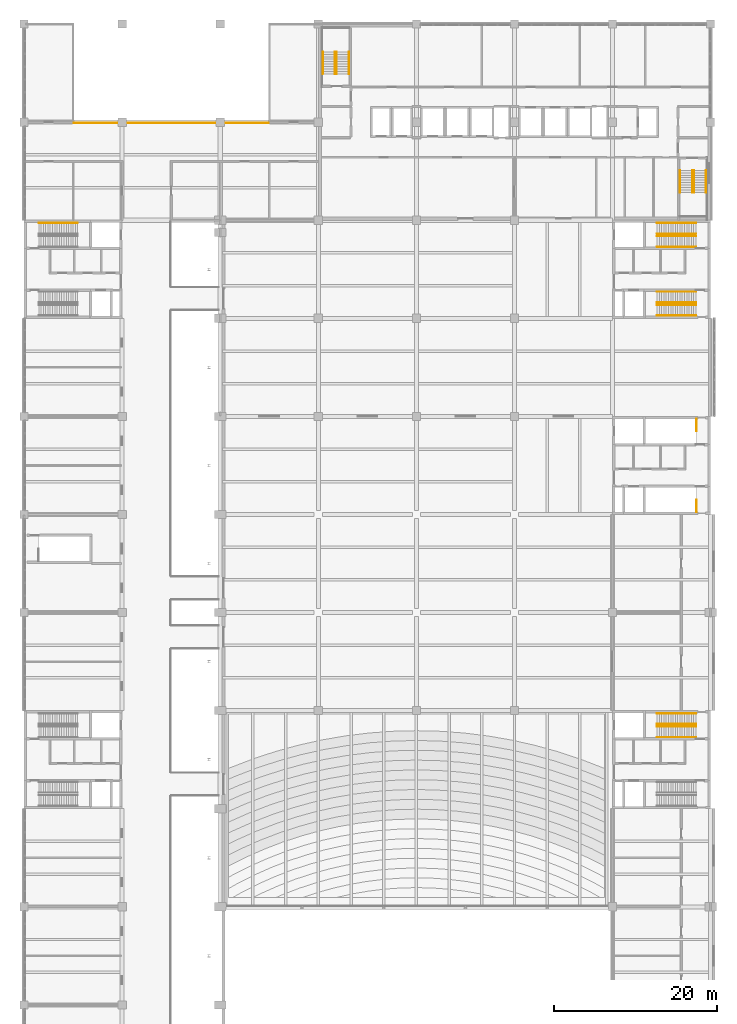
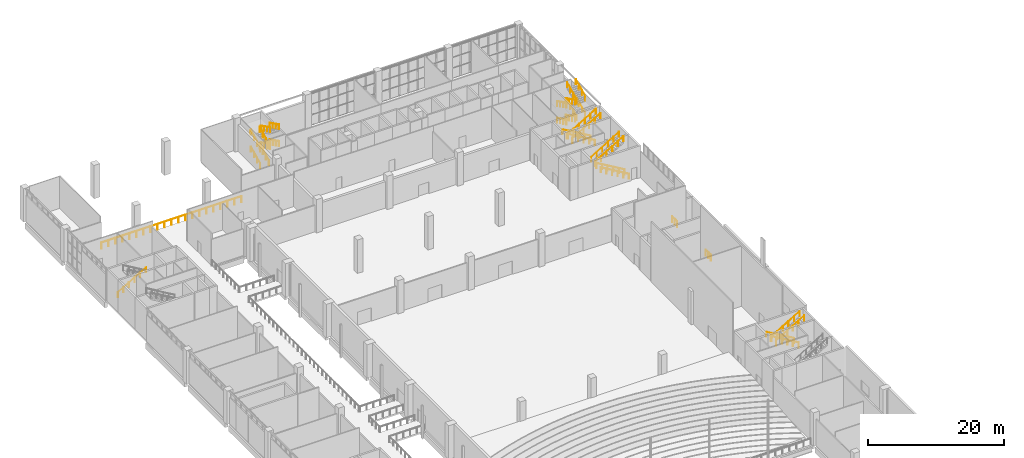
# One storey, part 72 of 72: 32 railings.
"""IFC4 building model written with IfcOpenShell, lengths in metres."""

from ifc_helpers import new_model, si_unit, direction, frame, origin, origin_2d, place, context, subcontext, project, spatial, circle, extrude, material, constituent, constituent_set, type_object, element, save


model = new_model("IFC4")

# Units and contexts
model_context = context("Model", 3, precision=1e-05, world=origin(), true_north=direction((0.0, 1.0)))
body_context = subcontext(model_context, "Body", "Model", "MODEL_VIEW")
ifc_project = project(units=[si_unit("LENGTHUNIT", "METRE"), si_unit("AREAUNIT", "SQUARE_METRE"), si_unit("VOLUMEUNIT", "CUBIC_METRE"), si_unit("PLANEANGLEUNIT", "RADIAN"), si_unit("MASSUNIT", "GRAM", prefix="KILO")], contexts=[model_context])

# Site, building, storey
site_placement = place(None, origin())
site = spatial("IfcSite", under=ifc_project, at=site_placement, CompositionType="ELEMENT")
building_placement = place(site_placement, origin())
building = spatial("IfcBuilding", under=site, at=building_placement, Name="Lilac Gate Convention Centre", CompositionType="ELEMENT")
storey_placement = place(building_placement, frame((0.0, 0.0, 6.0)))
storey = spatial("IfcBuildingStorey", under=building, at=storey_placement, Name="L01", CompositionType="ELEMENT", Elevation=6.0)

# Railings
ifc_material_1 = material(Name="Steel Q235B", Category="steel")
ifc_constituent_1 = constituent(ifc_material_1, Name="Frame")
ifc_material_2 = material(Name="Safety glass, bonded interlayer", Category="glass")
ifc_constituent_2 = constituent(ifc_material_2, Name="Infill")
ifc_constituent_set = constituent_set(constituents=[ifc_constituent_1, ifc_constituent_2], Name="Steel Q235B, Safety glass, bonded interlayer")
railing_type_1 = type_object("IfcRailingType", Name="Guard 1100 steel and glass", PredefinedType="GUARDRAIL", material=ifc_constituent_set)
for number, where, name in (
    (1, (88.25, 186.300048828125, 0.0), "Stairwell guard E3A"),
    (2, (88.25, 196.199951171875, 0.0), "Stairwell guard E3B"),
):
    element("IfcRailing", number, at=place(storey_placement, frame(where)), inside=storey, type_object=railing_type_1, Name=name, PredefinedType="GUARDRAIL", context=body_context, shape_type="SweptSolid", body=[
        extrude(circle(Radius=0.02392578125, at=origin_2d()), frame((0.0, 0.0, 1.076171875), z_axis=(0.0, 1.0, 0.0), x_axis=(-1.0, 0.0, 0.0)), (0.0, 0.0, 1.0), 1.5),
        extrude(circle(Radius=0.02099609375, at=origin_2d()), origin(), (0.0, 0.0, 1.0), 1.052001953125),
        extrude(circle(Radius=0.02099609375, at=origin_2d()), frame((0.0, 0.75, 0.0)), (0.0, 0.0, 1.0), 1.052001953125),
        extrude(circle(Radius=0.02099609375, at=origin_2d()), frame((0.0, 1.5, 0.0)), (0.0, 0.0, 1.0), 1.052001953125),
    ])
railing_1_placement = place(storey_placement, frame((12.10009765625, 233.89990234375, 0.0)))
element("IfcRailing", 3, at=railing_1_placement, inside=storey, type_object=railing_type_1, Name="Gallery guard L01", PredefinedType="GUARDRAIL", context=body_context, shape_type="SweptSolid", body=[
    extrude(circle(Radius=0.02392578125, at=origin_2d()), frame((0.0, 0.0, 1.076171875), z_axis=(1.0, 0.0, 0.0), x_axis=(0.0, 1.0, 0.0)), (0.0, 0.0, 1.0), 23.7998046875),
    extrude(circle(Radius=0.02099609375, at=origin_2d()), origin(), (0.0, 0.0, 1.0), 1.052001953125),
    extrude(circle(Radius=0.02099609375, at=origin_2d()), frame((1.18994140625, 0.0, 0.0)), (0.0, 0.0, 1.0), 1.052001953125),
    extrude(circle(Radius=0.02099609375, at=origin_2d()), frame((2.3798828125, 0.0, 0.0)), (0.0, 0.0, 1.0), 1.052001953125),
    extrude(circle(Radius=0.02099609375, at=origin_2d()), frame((3.570068359375, 0.0, 0.0)), (0.0, 0.0, 1.0), 1.052001953125),
    extrude(circle(Radius=0.02099609375, at=origin_2d()), frame((4.760009765625, 0.0, 0.0)), (0.0, 0.0, 1.0), 1.052001953125),
    extrude(circle(Radius=0.02099609375, at=origin_2d()), frame((5.949951171875, 0.0, 0.0)), (0.0, 0.0, 1.0), 1.052001953125),
    extrude(circle(Radius=0.02099609375, at=origin_2d()), frame((7.139892578125, 0.0, 0.0)), (0.0, 0.0, 1.0), 1.052001953125),
    extrude(circle(Radius=0.02099609375, at=origin_2d()), frame((8.329833984375, 0.0, 0.0)), (0.0, 0.0, 1.0), 1.052001953125),
    extrude(circle(Radius=0.02099609375, at=origin_2d()), frame((9.52001953125, 0.0, 0.0)), (0.0, 0.0, 1.0), 1.052001953125),
    extrude(circle(Radius=0.02099609375, at=origin_2d()), frame((10.7099609375, 0.0, 0.0)), (0.0, 0.0, 1.0), 1.052001953125),
    extrude(circle(Radius=0.02099609375, at=origin_2d()), frame((11.89990234375, 0.0, 0.0)), (0.0, 0.0, 1.0), 1.052001953125),
    extrude(circle(Radius=0.02099609375, at=origin_2d()), frame((13.08984375, 0.0, 0.0)), (0.0, 0.0, 1.0), 1.052001953125),
    extrude(circle(Radius=0.02099609375, at=origin_2d()), frame((14.27978515625, 0.0, 0.0)), (0.0, 0.0, 1.0), 1.052001953125),
    extrude(circle(Radius=0.02099609375, at=origin_2d()), frame((15.469970703125, 0.0, 0.0)), (0.0, 0.0, 1.0), 1.052001953125),
    extrude(circle(Radius=0.02099609375, at=origin_2d()), frame((16.659912109375, 0.0, 0.0)), (0.0, 0.0, 1.0), 1.052001953125),
    extrude(circle(Radius=0.02099609375, at=origin_2d()), frame((17.849853515625, 0.0, 0.0)), (0.0, 0.0, 1.0), 1.052001953125),
    extrude(circle(Radius=0.02099609375, at=origin_2d()), frame((19.039794921875, 0.0, 0.0)), (0.0, 0.0, 1.0), 1.052001953125),
    extrude(circle(Radius=0.02099609375, at=origin_2d()), frame((20.229736328125, 0.0, 0.0)), (0.0, 0.0, 1.0), 1.052001953125),
    extrude(circle(Radius=0.02099609375, at=origin_2d()), frame((21.419921875, 0.0, 0.0)), (0.0, 0.0, 1.0), 1.052001953125),
    extrude(circle(Radius=0.02099609375, at=origin_2d()), frame((22.60986328125, 0.0, 0.0)), (0.0, 0.0, 1.0), 1.052001953125),
    extrude(circle(Radius=0.02099609375, at=origin_2d()), frame((23.7998046875, 0.0, 0.0)), (0.0, 0.0, 1.0), 1.052001953125),
])
ifc_material_3 = material(Name="Stainless steel 304", Category="steel")
railing_type_2 = type_object("IfcRailingType", Name="Stair handrail", PredefinedType="HANDRAIL", material=ifc_material_3)
for number, where, name in (
    (4, (42.550048828125, 239.89990234375, 0.14990234375), "Handrail NW L01 flight 1"),
    (5, (44.050048828125, 239.89990234375, 0.14990234375), "Handrail NW L01 flight 1"),
):
    element("IfcRailing", number, at=place(storey_placement, frame(where)), inside=storey, type_object=railing_type_2, Name=name, PredefinedType="HANDRAIL", context=body_context, shape_type="SweptSolid", body=[
        extrude(circle(Radius=0.02392578125, at=origin_2d()), frame((0.0, 0.0, 0.8759765625), z_axis=(0.0, 0.894427191, 0.4472135955), x_axis=(-1.0, 0.0, 0.0)), (0.0, 0.0, 1.0), 3.018798828125),
        extrude(circle(Radius=0.02099609375, at=origin_2d()), origin(), (0.0, 0.0, 1.0), 0.851806640625),
        extrude(circle(Radius=0.02099609375, at=origin_2d()), frame((0.0, 0.900146484375, 0.449951171875)), (0.0, 0.0, 1.0), 0.851806640625),
        extrude(circle(Radius=0.02099609375, at=origin_2d()), frame((0.0, 1.800048828125, 0.900146484375)), (0.0, 0.0, 1.0), 0.851806640625),
        extrude(circle(Radius=0.02099609375, at=origin_2d()), frame((0.0, 2.7001953125, 1.35009765625)), (0.0, 0.0, 1.0), 0.851806640625),
    ])
for number, where, name in (
    (6, (45.75, 242.60009765625, 1.64990234375), "Handrail NW L01 flight 2"),
    (7, (44.25, 242.60009765625, 1.64990234375), "Handrail NW L01 flight 2"),
):
    element("IfcRailing", number, at=place(storey_placement, frame(where)), inside=storey, type_object=railing_type_2, Name=name, PredefinedType="HANDRAIL", context=body_context, shape_type="SweptSolid", body=[
        extrude(circle(Radius=0.02392578125, at=origin_2d()), frame((0.0, 0.0, 0.8759765625), z_axis=(0.0, -0.894427191, 0.4472135955), x_axis=(1.0, 0.0, 0.0)), (0.0, 0.0, 1.0), 3.018798828125),
        extrude(circle(Radius=0.02099609375, at=origin_2d()), origin(), (0.0, 0.0, 1.0), 0.851806640625),
        extrude(circle(Radius=0.02099609375, at=origin_2d()), frame((0.0, -0.900146484375, 0.449951171875)), (0.0, 0.0, 1.0), 0.851806640625),
        extrude(circle(Radius=0.02099609375, at=origin_2d()), frame((0.0, -1.800048828125, 0.900146484375)), (0.0, 0.0, 1.0), 0.851806640625),
        extrude(circle(Radius=0.02099609375, at=origin_2d()), frame((0.0, -2.7001953125, 1.35009765625)), (0.0, 0.0, 1.0), 0.851806640625),
    ])
for number, where, name in (
    (8, (42.550048828125, 239.89990234375, 3.14990234375), "Handrail NW L01 flight 3"),
    (9, (44.050048828125, 239.89990234375, 3.14990234375), "Handrail NW L01 flight 3"),
):
    element("IfcRailing", number, at=place(storey_placement, frame(where)), inside=storey, type_object=railing_type_2, Name=name, PredefinedType="HANDRAIL", context=body_context, shape_type="SweptSolid", body=[
        extrude(circle(Radius=0.02392578125, at=origin_2d()), frame((0.0, 0.0, 0.8759765625), z_axis=(0.0, 0.894427191, 0.4472135955), x_axis=(-1.0, 0.0, 0.0)), (0.0, 0.0, 1.0), 3.018798828125),
        extrude(circle(Radius=0.02099609375, at=origin_2d()), origin(), (0.0, 0.0, 1.0), 0.851806640625),
        extrude(circle(Radius=0.02099609375, at=origin_2d()), frame((0.0, 0.900146484375, 0.449951171875)), (0.0, 0.0, 1.0), 0.851806640625),
        extrude(circle(Radius=0.02099609375, at=origin_2d()), frame((0.0, 1.800048828125, 0.900146484375)), (0.0, 0.0, 1.0), 0.851806640625),
        extrude(circle(Radius=0.02099609375, at=origin_2d()), frame((0.0, 2.7001953125, 1.35009765625)), (0.0, 0.0, 1.0), 0.851806640625),
    ])
for number, where, name in (
    (10, (45.75, 242.60009765625, 4.64990234375), "Handrail NW L01 flight 4"),
    (11, (44.25, 242.60009765625, 4.64990234375), "Handrail NW L01 flight 4"),
    (12, (87.75, 228.10009765625, 0.14990234375), "Handrail SE L01 flight 1"),
    (13, (86.25, 228.10009765625, 0.14990234375), "Handrail SE L01 flight 1"),
):
    element("IfcRailing", number, at=place(storey_placement, frame(where)), inside=storey, type_object=railing_type_2, Name=name, PredefinedType="HANDRAIL", context=body_context, shape_type="SweptSolid", body=[
        extrude(circle(Radius=0.02392578125, at=origin_2d()), frame((0.0, 0.0, 0.8759765625), z_axis=(0.0, -0.894427191, 0.4472135955), x_axis=(1.0, 0.0, 0.0)), (0.0, 0.0, 1.0), 3.018798828125),
        extrude(circle(Radius=0.02099609375, at=origin_2d()), origin(), (0.0, 0.0, 1.0), 0.851806640625),
        extrude(circle(Radius=0.02099609375, at=origin_2d()), frame((0.0, -0.900146484375, 0.449951171875)), (0.0, 0.0, 1.0), 0.851806640625),
        extrude(circle(Radius=0.02099609375, at=origin_2d()), frame((0.0, -1.800048828125, 0.900146484375)), (0.0, 0.0, 1.0), 0.851806640625),
        extrude(circle(Radius=0.02099609375, at=origin_2d()), frame((0.0, -2.7001953125, 1.35009765625)), (0.0, 0.0, 1.0), 0.851806640625),
    ])
for number, where, name in (
    (14, (87.949951171875, 225.39990234375, 1.64990234375), "Handrail SE L01 flight 2"),
    (15, (89.449951171875, 225.39990234375, 1.64990234375), "Handrail SE L01 flight 2"),
):
    element("IfcRailing", number, at=place(storey_placement, frame(where)), inside=storey, type_object=railing_type_2, Name=name, PredefinedType="HANDRAIL", context=body_context, shape_type="SweptSolid", body=[
        extrude(circle(Radius=0.02392578125, at=origin_2d()), frame((0.0, 0.0, 0.8759765625), z_axis=(0.0, 0.894427191, 0.4472135955), x_axis=(-1.0, 0.0, 0.0)), (0.0, 0.0, 1.0), 3.018798828125),
        extrude(circle(Radius=0.02099609375, at=origin_2d()), origin(), (0.0, 0.0, 1.0), 0.851806640625),
        extrude(circle(Radius=0.02099609375, at=origin_2d()), frame((0.0, 0.900146484375, 0.449951171875)), (0.0, 0.0, 1.0), 0.851806640625),
        extrude(circle(Radius=0.02099609375, at=origin_2d()), frame((0.0, 1.800048828125, 0.900146484375)), (0.0, 0.0, 1.0), 0.851806640625),
        extrude(circle(Radius=0.02099609375, at=origin_2d()), frame((0.0, 2.7001953125, 1.35009765625)), (0.0, 0.0, 1.0), 0.851806640625),
    ])
for number, where, name in (
    (16, (87.75, 228.10009765625, 3.14990234375), "Handrail SE L01 flight 3"),
    (17, (86.25, 228.10009765625, 3.14990234375), "Handrail SE L01 flight 3"),
):
    element("IfcRailing", number, at=place(storey_placement, frame(where)), inside=storey, type_object=railing_type_2, Name=name, PredefinedType="HANDRAIL", context=body_context, shape_type="SweptSolid", body=[
        extrude(circle(Radius=0.02392578125, at=origin_2d()), frame((0.0, 0.0, 0.8759765625), z_axis=(0.0, -0.894427191, 0.4472135955), x_axis=(1.0, 0.0, 0.0)), (0.0, 0.0, 1.0), 3.018798828125),
        extrude(circle(Radius=0.02099609375, at=origin_2d()), origin(), (0.0, 0.0, 1.0), 0.851806640625),
        extrude(circle(Radius=0.02099609375, at=origin_2d()), frame((0.0, -0.900146484375, 0.449951171875)), (0.0, 0.0, 1.0), 0.851806640625),
        extrude(circle(Radius=0.02099609375, at=origin_2d()), frame((0.0, -1.800048828125, 0.900146484375)), (0.0, 0.0, 1.0), 0.851806640625),
        extrude(circle(Radius=0.02099609375, at=origin_2d()), frame((0.0, -2.7001953125, 1.35009765625)), (0.0, 0.0, 1.0), 0.851806640625),
    ])
for number, where, name in (
    (18, (87.949951171875, 225.39990234375, 4.64990234375), "Handrail SE L01 flight 4"),
    (19, (89.449951171875, 225.39990234375, 4.64990234375), "Handrail SE L01 flight 4"),
):
    element("IfcRailing", number, at=place(storey_placement, frame(where)), inside=storey, type_object=railing_type_2, Name=name, PredefinedType="HANDRAIL", context=body_context, shape_type="SweptSolid", body=[
        extrude(circle(Radius=0.02392578125, at=origin_2d()), frame((0.0, 0.0, 0.8759765625), z_axis=(0.0, 0.894427191, 0.4472135955), x_axis=(-1.0, 0.0, 0.0)), (0.0, 0.0, 1.0), 3.018798828125),
        extrude(circle(Radius=0.02099609375, at=origin_2d()), origin(), (0.0, 0.0, 1.0), 0.851806640625),
        extrude(circle(Radius=0.02099609375, at=origin_2d()), frame((0.0, 0.900146484375, 0.449951171875)), (0.0, 0.0, 1.0), 0.851806640625),
        extrude(circle(Radius=0.02099609375, at=origin_2d()), frame((0.0, 1.800048828125, 0.900146484375)), (0.0, 0.0, 1.0), 0.851806640625),
        extrude(circle(Radius=0.02099609375, at=origin_2d()), frame((0.0, 2.7001953125, 1.35009765625)), (0.0, 0.0, 1.0), 0.851806640625),
    ])
railing_type_3 = type_object("IfcRailingType", Name="Stair handrail 900", PredefinedType="HANDRAIL", material=ifc_material_3)
railing_2_placement = place(storey_placement, frame((7.800048828125, 221.64990234375, 0.166748046875)))
element("IfcRailing", 20, at=railing_2_placement, inside=storey, type_object=railing_type_3, Name="Stair handrail W4B", PredefinedType="HANDRAIL", context=body_context, shape_type="SweptSolid", body=[
    extrude(circle(Radius=0.02392578125, at=origin_2d()), frame((0.0, 0.0, 0.8759765625), z_axis=(0.859299802514, 0.0, 0.511472237174), x_axis=(0.0, 1.0, 0.0)), (0.0, 0.0, 1.0), 5.539306640625),
    extrude(circle(Radius=0.02099609375, at=origin_2d()), origin(), (0.0, 0.0, 1.0), 0.851806640625),
    extrude(circle(Radius=0.02099609375, at=origin_2d()), frame((0.951904296875, 0.0, 0.566650390625)), (0.0, 0.0, 1.0), 0.851806640625),
    extrude(circle(Radius=0.02099609375, at=origin_2d()), frame((1.904052734375, 0.0, 1.13330078125)), (0.0, 0.0, 1.0), 0.851806640625),
    extrude(circle(Radius=0.02099609375, at=origin_2d()), frame((2.85595703125, 0.0, 1.699951171875)), (0.0, 0.0, 1.0), 0.851806640625),
    extrude(circle(Radius=0.02099609375, at=origin_2d()), frame((3.80810546875, 0.0, 2.2666015625)), (0.0, 0.0, 1.0), 0.851806640625),
    extrude(circle(Radius=0.02099609375, at=origin_2d()), frame((4.760009765625, 0.0, 2.833251953125)), (0.0, 0.0, 1.0), 0.851806640625),
])
for number, where, name in (
    (21, (88.199951171875, 160.35009765625, 0.166748046875), "Stair handrail E2B"),
    (22, (88.199951171875, 161.64990234375, 0.166748046875), "Stair handrail E2B"),
):
    element("IfcRailing", number, at=place(storey_placement, frame(where)), inside=storey, type_object=railing_type_3, Name=name, PredefinedType="HANDRAIL", context=body_context, shape_type="SweptSolid", body=[
        extrude(circle(Radius=0.02392578125, at=origin_2d()), frame((0.0, 0.0, 0.8759765625), z_axis=(-0.859299802514, 0.0, 0.511472237174), x_axis=(0.0, -1.0, 0.0)), (0.0, 0.0, 1.0), 5.539306640625),
        extrude(circle(Radius=0.02099609375, at=origin_2d()), origin(), (0.0, 0.0, 1.0), 0.851806640625),
        extrude(circle(Radius=0.02099609375, at=origin_2d()), frame((-0.951904296875, 0.0, 0.566650390625)), (0.0, 0.0, 1.0), 0.851806640625),
        extrude(circle(Radius=0.02099609375, at=origin_2d()), frame((-1.904052734375, 0.0, 1.13330078125)), (0.0, 0.0, 1.0), 0.851806640625),
        extrude(circle(Radius=0.02099609375, at=origin_2d()), frame((-2.85595703125, 0.0, 1.699951171875)), (0.0, 0.0, 1.0), 0.851806640625),
        extrude(circle(Radius=0.02099609375, at=origin_2d()), frame((-3.80810546875, 0.0, 2.2666015625)), (0.0, 0.0, 1.0), 0.851806640625),
        extrude(circle(Radius=0.02099609375, at=origin_2d()), frame((-4.760009765625, 0.0, 2.833251953125)), (0.0, 0.0, 1.0), 0.851806640625),
    ])
for number, where, name in (
    (23, (83.43994140625, 158.75, 3.166748046875), "Stair handrail E2B"),
    (24, (83.43994140625, 160.050048828125, 3.166748046875), "Stair handrail E2B"),
):
    element("IfcRailing", number, at=place(storey_placement, frame(where)), inside=storey, type_object=railing_type_3, Name=name, PredefinedType="HANDRAIL", context=body_context, shape_type="SweptSolid", body=[
        extrude(circle(Radius=0.02392578125, at=origin_2d()), frame((0.0, 0.0, 0.8759765625), z_axis=(0.859299802514, 0.0, 0.511472237174), x_axis=(0.0, 1.0, 0.0)), (0.0, 0.0, 1.0), 5.539306640625),
        extrude(circle(Radius=0.02099609375, at=origin_2d()), origin(), (0.0, 0.0, 1.0), 0.851806640625),
        extrude(circle(Radius=0.02099609375, at=origin_2d()), frame((0.951904296875, 0.0, 0.566650390625)), (0.0, 0.0, 1.0), 0.851806640625),
        extrude(circle(Radius=0.02099609375, at=origin_2d()), frame((1.904052734375, 0.0, 1.13330078125)), (0.0, 0.0, 1.0), 0.851806640625),
        extrude(circle(Radius=0.02099609375, at=origin_2d()), frame((2.85595703125, 0.0, 1.699951171875)), (0.0, 0.0, 1.0), 0.851806640625),
        extrude(circle(Radius=0.02099609375, at=origin_2d()), frame((3.80810546875, 0.0, 2.2666015625)), (0.0, 0.0, 1.0), 0.851806640625),
        extrude(circle(Radius=0.02099609375, at=origin_2d()), frame((4.760009765625, 0.0, 2.833251953125)), (0.0, 0.0, 1.0), 0.851806640625),
    ])
for number, where, name in (
    (25, (88.199951171875, 210.35009765625, 0.166748046875), "Stair handrail E4A"),
    (26, (88.199951171875, 211.64990234375, 0.166748046875), "Stair handrail E4A"),
):
    element("IfcRailing", number, at=place(storey_placement, frame(where)), inside=storey, type_object=railing_type_3, Name=name, PredefinedType="HANDRAIL", context=body_context, shape_type="SweptSolid", body=[
        extrude(circle(Radius=0.02392578125, at=origin_2d()), frame((0.0, 0.0, 0.8759765625), z_axis=(-0.859299802514, 0.0, 0.511472237174), x_axis=(0.0, -1.0, 0.0)), (0.0, 0.0, 1.0), 5.539306640625),
        extrude(circle(Radius=0.02099609375, at=origin_2d()), origin(), (0.0, 0.0, 1.0), 0.851806640625),
        extrude(circle(Radius=0.02099609375, at=origin_2d()), frame((-0.951904296875, 0.0, 0.566650390625)), (0.0, 0.0, 1.0), 0.851806640625),
        extrude(circle(Radius=0.02099609375, at=origin_2d()), frame((-1.904052734375, 0.0, 1.13330078125)), (0.0, 0.0, 1.0), 0.851806640625),
        extrude(circle(Radius=0.02099609375, at=origin_2d()), frame((-2.85595703125, 0.0, 1.699951171875)), (0.0, 0.0, 1.0), 0.851806640625),
        extrude(circle(Radius=0.02099609375, at=origin_2d()), frame((-3.80810546875, 0.0, 2.2666015625)), (0.0, 0.0, 1.0), 0.851806640625),
        extrude(circle(Radius=0.02099609375, at=origin_2d()), frame((-4.760009765625, 0.0, 2.833251953125)), (0.0, 0.0, 1.0), 0.851806640625),
    ])
for number, where, name in (
    (27, (83.43994140625, 211.949951171875, 3.166748046875), "Stair handrail E4A"),
    (28, (83.43994140625, 213.25, 3.166748046875), "Stair handrail E4A"),
):
    element("IfcRailing", number, at=place(storey_placement, frame(where)), inside=storey, type_object=railing_type_3, Name=name, PredefinedType="HANDRAIL", context=body_context, shape_type="SweptSolid", body=[
        extrude(circle(Radius=0.02392578125, at=origin_2d()), frame((0.0, 0.0, 0.8759765625), z_axis=(0.859299802514, 0.0, 0.511472237174), x_axis=(0.0, 1.0, 0.0)), (0.0, 0.0, 1.0), 5.539306640625),
        extrude(circle(Radius=0.02099609375, at=origin_2d()), origin(), (0.0, 0.0, 1.0), 0.851806640625),
        extrude(circle(Radius=0.02099609375, at=origin_2d()), frame((0.951904296875, 0.0, 0.566650390625)), (0.0, 0.0, 1.0), 0.851806640625),
        extrude(circle(Radius=0.02099609375, at=origin_2d()), frame((1.904052734375, 0.0, 1.13330078125)), (0.0, 0.0, 1.0), 0.851806640625),
        extrude(circle(Radius=0.02099609375, at=origin_2d()), frame((2.85595703125, 0.0, 1.699951171875)), (0.0, 0.0, 1.0), 0.851806640625),
        extrude(circle(Radius=0.02099609375, at=origin_2d()), frame((3.80810546875, 0.0, 2.2666015625)), (0.0, 0.0, 1.0), 0.851806640625),
        extrude(circle(Radius=0.02099609375, at=origin_2d()), frame((4.760009765625, 0.0, 2.833251953125)), (0.0, 0.0, 1.0), 0.851806640625),
    ])
for number, where, name in (
    (29, (88.199951171875, 220.35009765625, 0.166748046875), "Stair handrail E4B"),
    (30, (88.199951171875, 221.64990234375, 0.166748046875), "Stair handrail E4B"),
):
    element("IfcRailing", number, at=place(storey_placement, frame(where)), inside=storey, type_object=railing_type_3, Name=name, PredefinedType="HANDRAIL", context=body_context, shape_type="SweptSolid", body=[
        extrude(circle(Radius=0.02392578125, at=origin_2d()), frame((0.0, 0.0, 0.8759765625), z_axis=(-0.859299802514, 0.0, 0.511472237174), x_axis=(0.0, -1.0, 0.0)), (0.0, 0.0, 1.0), 5.539306640625),
        extrude(circle(Radius=0.02099609375, at=origin_2d()), origin(), (0.0, 0.0, 1.0), 0.851806640625),
        extrude(circle(Radius=0.02099609375, at=origin_2d()), frame((-0.951904296875, 0.0, 0.566650390625)), (0.0, 0.0, 1.0), 0.851806640625),
        extrude(circle(Radius=0.02099609375, at=origin_2d()), frame((-1.904052734375, 0.0, 1.13330078125)), (0.0, 0.0, 1.0), 0.851806640625),
        extrude(circle(Radius=0.02099609375, at=origin_2d()), frame((-2.85595703125, 0.0, 1.699951171875)), (0.0, 0.0, 1.0), 0.851806640625),
        extrude(circle(Radius=0.02099609375, at=origin_2d()), frame((-3.80810546875, 0.0, 2.2666015625)), (0.0, 0.0, 1.0), 0.851806640625),
        extrude(circle(Radius=0.02099609375, at=origin_2d()), frame((-4.760009765625, 0.0, 2.833251953125)), (0.0, 0.0, 1.0), 0.851806640625),
    ])
for number, where, name in (
    (31, (83.43994140625, 218.75, 3.166748046875), "Stair handrail E4B"),
    (32, (83.43994140625, 220.050048828125, 3.166748046875), "Stair handrail E4B"),
):
    element("IfcRailing", number, at=place(storey_placement, frame(where)), inside=storey, type_object=railing_type_3, Name=name, PredefinedType="HANDRAIL", context=body_context, shape_type="SweptSolid", body=[
        extrude(circle(Radius=0.02392578125, at=origin_2d()), frame((0.0, 0.0, 0.8759765625), z_axis=(0.859299802514, 0.0, 0.511472237174), x_axis=(0.0, 1.0, 0.0)), (0.0, 0.0, 1.0), 5.539306640625),
        extrude(circle(Radius=0.02099609375, at=origin_2d()), origin(), (0.0, 0.0, 1.0), 0.851806640625),
        extrude(circle(Radius=0.02099609375, at=origin_2d()), frame((0.951904296875, 0.0, 0.566650390625)), (0.0, 0.0, 1.0), 0.851806640625),
        extrude(circle(Radius=0.02099609375, at=origin_2d()), frame((1.904052734375, 0.0, 1.13330078125)), (0.0, 0.0, 1.0), 0.851806640625),
        extrude(circle(Radius=0.02099609375, at=origin_2d()), frame((2.85595703125, 0.0, 1.699951171875)), (0.0, 0.0, 1.0), 0.851806640625),
        extrude(circle(Radius=0.02099609375, at=origin_2d()), frame((3.80810546875, 0.0, 2.2666015625)), (0.0, 0.0, 1.0), 0.851806640625),
        extrude(circle(Radius=0.02099609375, at=origin_2d()), frame((4.760009765625, 0.0, 2.833251953125)), (0.0, 0.0, 1.0), 0.851806640625),
    ])

save(model, "model.ifc")
